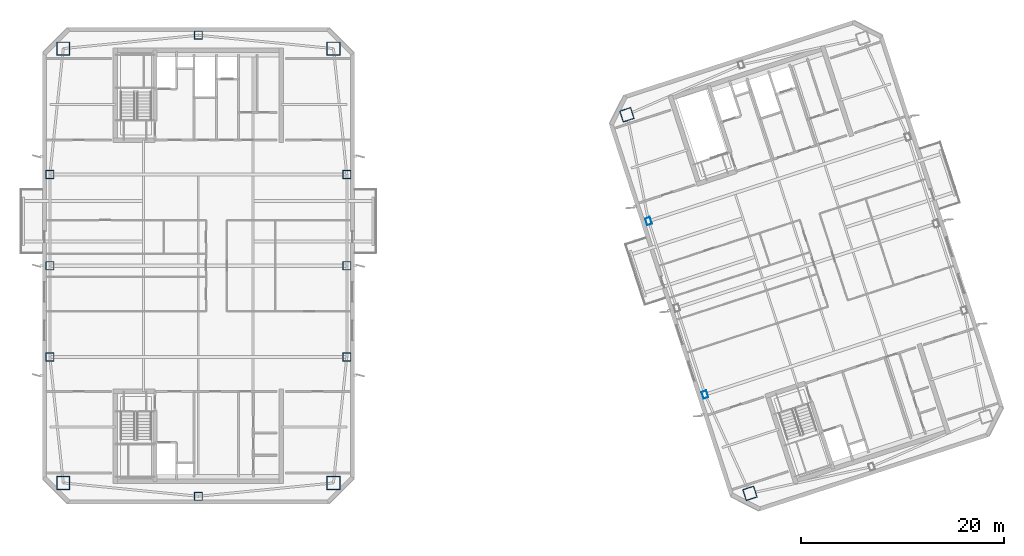
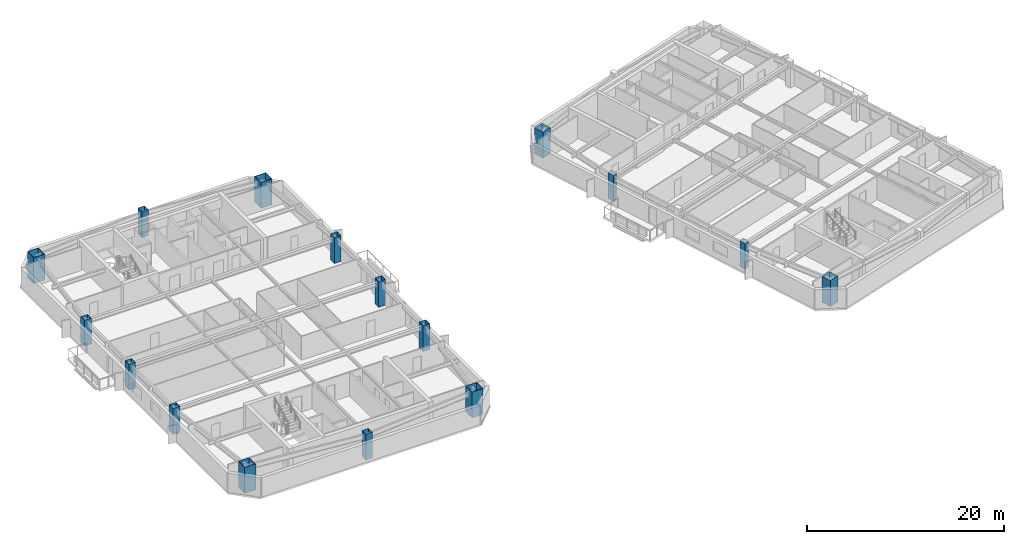
# One storey, part 1 of 17: 16 columns.
"""IFC4 building model written with IfcOpenShell, lengths in metres."""

import ifcopenshell
import ifcopenshell.guid

model = None  # the IFC model being written
_history = None  # IfcOwnerHistory: only IFC2X3 demands one
_inside = {}  # id of a spatial element -> (the spatial element, [elements in it])
_under = {}  # id of a project, library or spatial element -> (it, [spatial elements below it])
_declared = {}  # id of a project -> (the project, [libraries it declares])
_typed = {}  # id of a type object -> (the type object, [elements of that type])
_made_of = {}  # id of a material, layer set ... -> (it, [elements and type objects made of it])


def new_model(schema):
    """Start an empty IFC model of exactly this schema.

    Asked for "IFC4X3", IfcOpenShell would pick the latest addendum, in which some entities
    have other attributes; the version numbers below select the first issue.
    IFC2X3 requires an IfcOwnerHistory on every rooted entity: one is made here for all.
    """
    global model, _history
    if schema == "IFC4X3":
        model = ifcopenshell.file(schema_version=(4, 3, 0, 0))
    else:
        model = ifcopenshell.file(schema=schema)
    _inside.clear()
    _under.clear()
    _declared.clear()
    _typed.clear()
    _made_of.clear()
    _history = None
    if model.schema == "IFC2X3":
        org = make("IfcOrganization", Name="unknown")
        user = make(
            "IfcPersonAndOrganization",
            ThePerson=make("IfcPerson", FamilyName="unknown"),
            TheOrganization=org,
        )
        app = make(
            "IfcApplication",
            ApplicationDeveloper=org,
            Version="unknown",
            ApplicationFullName="unknown",
            ApplicationIdentifier="unknown",
        )
        _history = make(
            "IfcOwnerHistory",
            OwningUser=user,
            OwningApplication=app,
            ChangeAction="ADDED",
            CreationDate=0,
        )
    return model


def make(cls, **values):
    """One entity of the class cls with the attributes given. An attribute that is None is left unset."""
    return model.create_entity(
        cls, **{name: value for name, value in values.items() if value is not None}
    )


def rooted(cls, **values):
    """An entity with a GlobalId (a new one), such as an element, a storey or a relation."""
    return make(cls, GlobalId=ifcopenshell.guid.new(), OwnerHistory=_history, **values)


def si_unit(unit_type, name, prefix=None):
    """IfcSIUnit, for example si_unit("LENGTHUNIT", "METRE", prefix="MILLI")."""
    return make("IfcSIUnit", UnitType=unit_type, Prefix=prefix, Name=name)


def assignment(units):
    """IfcUnitAssignment: the units of a project."""
    return None if units is None else make("IfcUnitAssignment", Units=units)


def point(xyz):
    """IfcCartesianPoint."""
    return None if xyz is None else make("IfcCartesianPoint", Coordinates=xyz)


def direction(xyz):
    """IfcDirection."""
    return None if xyz is None else make("IfcDirection", DirectionRatios=xyz)


def frame(location, z_axis=None, x_axis=None):
    """IfcAxis2Placement3D, a coordinate frame: its origin and axes. An axis left out is left unset."""
    return make(
        "IfcAxis2Placement3D",
        Location=point(location),
        Axis=direction(z_axis),
        RefDirection=direction(x_axis),
    )


def frame_2d(location, x_axis=None):
    """IfcAxis2Placement2D, a coordinate frame in the plane: its origin and x axis."""
    return make(
        "IfcAxis2Placement2D", Location=point(location), RefDirection=direction(x_axis)
    )


def origin():
    """The frame at (0, 0, 0) with its axes left unset."""
    return frame((0.0, 0.0, 0.0))


def origin_2d():
    """The frame at (0, 0) in the plane with its x axis left unset."""
    return frame_2d((0.0, 0.0))


def place(relative_to, where):
    """IfcLocalPlacement: puts the frame where relative to a parent placement (None: the world)."""
    return make(
        "IfcLocalPlacement", PlacementRelTo=relative_to, RelativePlacement=where
    )


def context(
    kind, dimensions, precision=None, world=None, true_north=None, identifier=None
):
    """IfcGeometricRepresentationContext, for example the 3D "Model" context."""
    return make(
        "IfcGeometricRepresentationContext",
        ContextIdentifier=identifier,
        ContextType=kind,
        CoordinateSpaceDimension=dimensions,
        Precision=precision,
        WorldCoordinateSystem=world,
        TrueNorth=true_north,
    )


def subcontext(parent, identifier, kind, view, scale=None):
    """IfcGeometricRepresentationSubContext, for example "Body" below "Model"."""
    return make(
        "IfcGeometricRepresentationSubContext",
        ContextIdentifier=identifier,
        ContextType=kind,
        ParentContext=parent,
        TargetScale=scale,
        TargetView=view,
    )


def project(units=None, contexts=None):
    """IfcProject with its units and contexts."""
    return rooted(
        "IfcProject",
        Name="project",
        RepresentationContexts=contexts,
        UnitsInContext=assignment(units),
    )


def spatial(cls, under=None, at=None, **own):
    """A site, building, storey or space (cls), placed at a placement, below another one or the project."""
    s = rooted(cls, ObjectPlacement=at, **own)
    if under is not None:
        _under.setdefault(under.id(), (under, []))[1].append(s)
    return s


def profile(cls, at=None, kind="AREA", **sizes):
    """A parametric profile (cls). Its sizes go by their IFC names, for example OverallWidth=200.0."""
    return make(cls, ProfileType=kind, Position=at, **sizes)


def hollow_rectangle(**sizes):
    """IfcRectangleHollowProfileDef."""
    return profile("IfcRectangleHollowProfileDef", **sizes)


def extrude(swept, where, along, depth):
    """IfcExtrudedAreaSolid: the profile swept, set in the frame where, extruded along a direction by depth."""
    return make(
        "IfcExtrudedAreaSolid",
        SweptArea=swept,
        Position=where,
        ExtrudedDirection=direction(along),
        Depth=depth,
    )


def shape(context_of_items, identifier, shape_type, items):
    """IfcShapeRepresentation: the items that make up one representation, for example the "Body"."""
    return make(
        "IfcShapeRepresentation",
        ContextOfItems=context_of_items,
        RepresentationIdentifier=identifier,
        RepresentationType=shape_type,
        Items=items,
    )


def material(Name=None, Category=None):
    """IfcMaterial."""
    return make("IfcMaterial", Name=Name, Category=Category)


def material_profile(
    of_material, cross_section, Name=None, Category=None, Priority=None
):
    """IfcMaterialProfile: a cross section and its material."""
    return make(
        "IfcMaterialProfile",
        Name=Name,
        Material=of_material,
        Profile=cross_section,
        Priority=Priority,
        Category=Category,
    )


def profile_set(profiles, Name=None, composite=None):
    """IfcMaterialProfileSet."""
    return make(
        "IfcMaterialProfileSet",
        Name=Name,
        MaterialProfiles=profiles,
        CompositeProfile=composite,
    )


def made_of(thing, what):
    """Note that an element or type object is made of a material, layer set ...; save() writes the relation."""
    if what is not None:
        _made_of.setdefault(what.id(), (what, []))[1].append(thing)
    return thing


def type_object(cls, material=None, **own):
    """A type object (cls), such as IfcWallType, which elements share."""
    return made_of(rooted(cls, **own), material)


def element(
    cls,
    number,
    at=None,
    inside=None,
    cuts=None,
    type_object=None,
    material=None,
    context=None,
    identifier="Body",
    shape_type=None,
    held_by="IfcProductDefinitionShape",
    body=None,
    shapes=None,
    **own,
):
    """One element of the class cls, such as IfcWall. Its Tag is "e" and its number.

    at: its placement. inside: the storey or other place that contains it. cuts: it is an
    opening in that element (IfcRelVoidsElement). A single representation is given by context,
    identifier, shape_type and body (its items); several are given by shapes. held_by: the class
    of the entity that holds the representations. save() writes the other relations.
    """
    e = rooted(cls, Tag="e%d" % number, ObjectPlacement=at, **own)
    if body is not None:
        shapes = [shape(context, identifier, shape_type, body)]
    if shapes is not None:
        e.Representation = make(held_by, Representations=shapes)
    if inside is not None:
        _inside.setdefault(inside.id(), (inside, []))[1].append(e)
    if cuts is not None:
        rooted(
            "IfcRelVoidsElement", RelatingBuildingElement=cuts, RelatedOpeningElement=e
        )
    if type_object is not None:
        _typed.setdefault(type_object.id(), (type_object, []))[1].append(e)
    return made_of(e, material)


def aggregate(whole, parts):
    """IfcRelAggregates: a whole, such as a stair, and the parts it consists of."""
    return rooted("IfcRelAggregates", RelatingObject=whole, RelatedObjects=parts)


def save(model, path):
    """Write the relations noted so far, then the file.

    IfcRelAggregates (storeys below a building ...), IfcRelContainedInSpatialStructure (elements
    in a storey), IfcRelDefinesByType, IfcRelAssociatesMaterial and IfcRelDeclares: one each for
    every whole, place, type object, material and project.
    """
    for whole, parts in _under.values():
        aggregate(whole, parts)
    for where, things in _inside.values():
        rooted(
            "IfcRelContainedInSpatialStructure",
            RelatedElements=things,
            RelatingStructure=where,
        )
    for kind, things in _typed.values():
        rooted("IfcRelDefinesByType", RelatedObjects=things, RelatingType=kind)
    for what, things in _made_of.values():
        rooted("IfcRelAssociatesMaterial", RelatedObjects=things, RelatingMaterial=what)
    for by, libraries in _declared.values():
        rooted("IfcRelDeclares", RelatingContext=by, RelatedDefinitions=libraries)
    model.write(path)


model = new_model("IFC4")

# Units and contexts
model_context = context("Model", 3, precision=1e-05, world=origin(), true_north=direction((0.0, 1.0)))
body_context = subcontext(model_context, "Body", "Model", "MODEL_VIEW")
ifc_project = project(units=[si_unit("LENGTHUNIT", "METRE"), si_unit("AREAUNIT", "SQUARE_METRE"), si_unit("VOLUMEUNIT", "CUBIC_METRE"), si_unit("PLANEANGLEUNIT", "RADIAN"), si_unit("MASSUNIT", "GRAM", prefix="KILO")], contexts=[model_context])

# Site, building, storey
site_placement = place(None, origin())
site = spatial("IfcSite", under=ifc_project, at=site_placement, CompositionType="ELEMENT")
building_placement = place(site_placement, origin())
building = spatial("IfcBuilding", under=site, at=building_placement, Name="Qiaolan Cultural Towers", CompositionType="ELEMENT")
storey_placement = place(building_placement, frame((0.0, 0.0, 247.199951171875)))
storey = spatial("IfcBuildingStorey", under=building, at=storey_placement, Name="L67", CompositionType="ELEMENT", Elevation=247.199951171875)

# Columns
ifc_material_1 = material(Name="Steel Q390GJB", Category="steel")
ifc_material_profile_1 = material_profile(ifc_material_1, hollow_rectangle(XDim=1.14990234375, YDim=1.14990234375, WallThickness=0.0400390625, at=origin_2d()), Name="BOX1150x1150x40")
ifc_profile_set_1 = profile_set([ifc_material_profile_1], Name="Steel Q390GJB")
column_type_1 = type_object("IfcColumnType", Name="COL-BOX1150x1150x40", PredefinedType="COLUMN", material=ifc_profile_set_1)
for number, where, z_axis, x_axis, name in (
    (1, (84.42822265625, 11.538818359375, 0.0), (0.0, 0.0, 1.0), (0.951056516295, 0.309016994375, 0.0), "L67 T2 Perimeter Column MC-SW"),
    (2, (72.2900390625, 48.896484375, 0.0), (0.0, 0.0, 1.0), (0.951056516295, 0.309016994375, 0.0), "L67 T2 Perimeter Column MC-NW"),
):
    element("IfcColumn", number, at=place(storey_placement, frame(where, z_axis=z_axis, x_axis=x_axis)), inside=storey, type_object=column_type_1, Name=name, PredefinedType="COLUMN", context=body_context, shape_type="SweptSolid", body=[
        extrude(hollow_rectangle(XDim=1.14990234375, YDim=1.14990234375, WallThickness=0.0400390625, at=origin_2d()), origin(), (0.0, 0.0, 1.0), 3.200927734375),
    ])
ifc_material_2 = material(Name="Steel Q390GJB", Category="steel")
ifc_material_profile_2 = material_profile(ifc_material_2, hollow_rectangle(XDim=1.300048828125, YDim=1.300048828125, WallThickness=0.044921875, at=origin_2d()), Name="BOX1300x1300x45")
ifc_profile_set_2 = profile_set([ifc_material_profile_2], Name="Steel Q390GJB")
column_type_2 = type_object("IfcColumnType", Name="COL-BOX1300x1300x45", PredefinedType="COLUMN", material=ifc_profile_set_2)
for number, where, z_axis, x_axis, name in (
    (3, (16.669921875, 12.570068359375, 0.0), (0.0, 0.0, 1.0), (1.0, 0.0, 0.0), "L67 T1 Perimeter Column MC-SW"),
    (4, (43.330078125, 12.570068359375, 0.0), (0.0, 0.0, 1.0), (1.0, 0.0, 0.0), "L67 T1 Perimeter Column MC-SE"),
    (5, (43.330078125, 55.429931640625, 0.0), (0.0, 0.0, 1.0), (1.0, 0.0, 0.0), "L67 T1 Perimeter Column MC-NE"),
    (6, (16.669921875, 55.429931640625, 0.0), (0.0, 0.0, 1.0), (1.0, 0.0, 0.0), "L67 T1 Perimeter Column MC-NW"),
):
    element("IfcColumn", number, at=place(storey_placement, frame(where, z_axis=z_axis, x_axis=x_axis)), inside=storey, type_object=column_type_2, Name=name, PredefinedType="COLUMN", context=body_context, shape_type="SweptSolid", body=[
        extrude(hollow_rectangle(XDim=1.300048828125, YDim=1.300048828125, WallThickness=0.044921875, at=origin_2d()), origin(), (0.0, 0.0, 1.0), 3.200927734375),
    ])
ifc_material_3 = material(Name="Steel Q355B", Category="steel")
ifc_material_profile_3 = material_profile(ifc_material_3, hollow_rectangle(XDim=0.5, YDim=0.699951171875, WallThickness=0.02490234375, at=origin_2d()), Name="BOX700x500x25")
ifc_profile_set_3 = profile_set([ifc_material_profile_3], Name="Steel Q355B")
column_type_3 = type_object("IfcColumnType", Name="COL-BOX700x500x25", PredefinedType="COLUMN", material=ifc_profile_set_3)
for number, where, z_axis, x_axis, name in (
    (7, (79.989501953125, 21.2841796875, 0.0), (0.0, 0.0, 1.0), (0.951056516295, 0.309016994375, 0.0), "L67 T2 Perimeter Column PC-W1"),
    (8, (74.42724609375, 38.4033203125, 0.0), (0.0, 0.0, 1.0), (0.951056516295, 0.309016994375, 0.0), "L67 T2 Perimeter Column PC-W3"),
):
    element("IfcColumn", number, at=place(storey_placement, frame(where, z_axis=z_axis, x_axis=x_axis)), inside=storey, type_object=column_type_3, Name=name, PredefinedType="COLUMN", context=body_context, shape_type="SweptSolid", body=[
        extrude(hollow_rectangle(XDim=0.5, YDim=0.699951171875, WallThickness=0.02490234375, at=origin_2d()), origin(), (0.0, 0.0, 1.0), 3.200927734375),
    ])
ifc_material_4 = material(Name="Steel Q355B", Category="steel")
ifc_material_profile_4 = material_profile(ifc_material_4, hollow_rectangle(XDim=0.800048828125, YDim=0.800048828125, WallThickness=0.028076171875, at=origin_2d()), Name="BOX800x800x28")
ifc_profile_set_4 = profile_set([ifc_material_profile_4], Name="Steel Q355B")
column_type_4 = type_object("IfcColumnType", Name="COL-BOX800x800x28", PredefinedType="COLUMN", material=ifc_profile_set_4)
for number, where, z_axis, x_axis, name in (
    (9, (15.35009765625, 25.0, 0.0), (0.0, 0.0, 1.0), (1.0, 0.0, 0.0), "L67 T1 Perimeter Column PC-W1"),
    (10, (15.35009765625, 34.0, 0.0), (0.0, 0.0, 1.0), (1.0, 0.0, 0.0), "L67 T1 Perimeter Column PC-W2"),
    (11, (15.35009765625, 43.0, 0.0), (0.0, 0.0, 1.0), (1.0, 0.0, 0.0), "L67 T1 Perimeter Column PC-W3"),
    (12, (44.64990234375, 25.0, 0.0), (0.0, 0.0, 1.0), (1.0, 0.0, 0.0), "L67 T1 Perimeter Column PC-E1"),
    (13, (44.64990234375, 34.0, 0.0), (0.0, 0.0, 1.0), (1.0, 0.0, 0.0), "L67 T1 Perimeter Column PC-E2"),
    (14, (44.64990234375, 43.0, 0.0), (0.0, 0.0, 1.0), (1.0, 0.0, 0.0), "L67 T1 Perimeter Column PC-E3"),
    (15, (30.0, 11.25, 0.0), (0.0, 0.0, 1.0), (1.0, 0.0, 0.0), "L67 T1 Perimeter Column PC-S0"),
    (16, (30.0, 56.75, 0.0), (0.0, 0.0, 1.0), (1.0, 0.0, 0.0), "L67 T1 Perimeter Column PC-N0"),
):
    element("IfcColumn", number, at=place(storey_placement, frame(where, z_axis=z_axis, x_axis=x_axis)), inside=storey, type_object=column_type_4, Name=name, PredefinedType="COLUMN", context=body_context, shape_type="SweptSolid", body=[
        extrude(hollow_rectangle(XDim=0.800048828125, YDim=0.800048828125, WallThickness=0.028076171875, at=origin_2d()), origin(), (0.0, 0.0, 1.0), 3.200927734375),
    ])

save(model, "model.ifc")
